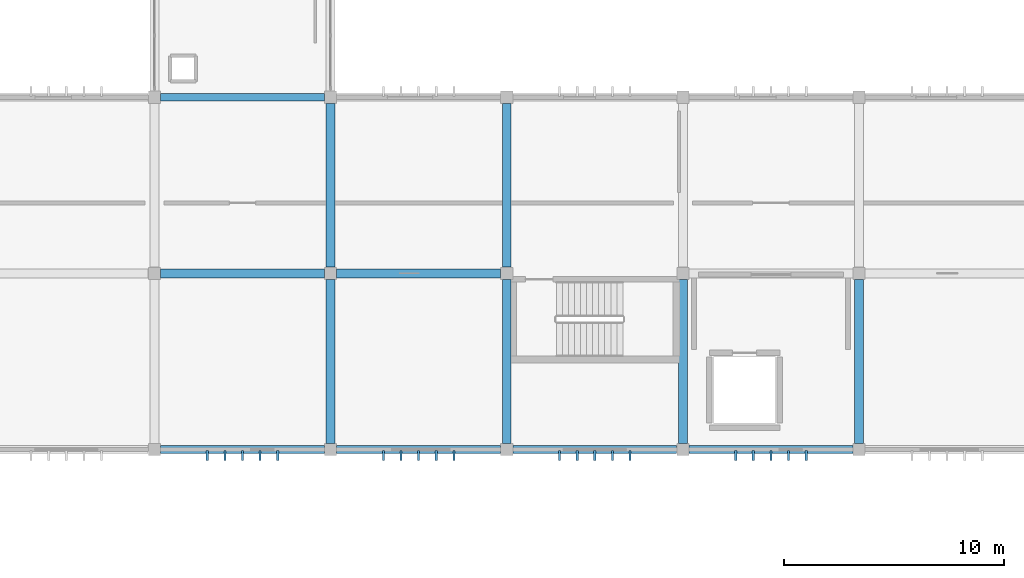
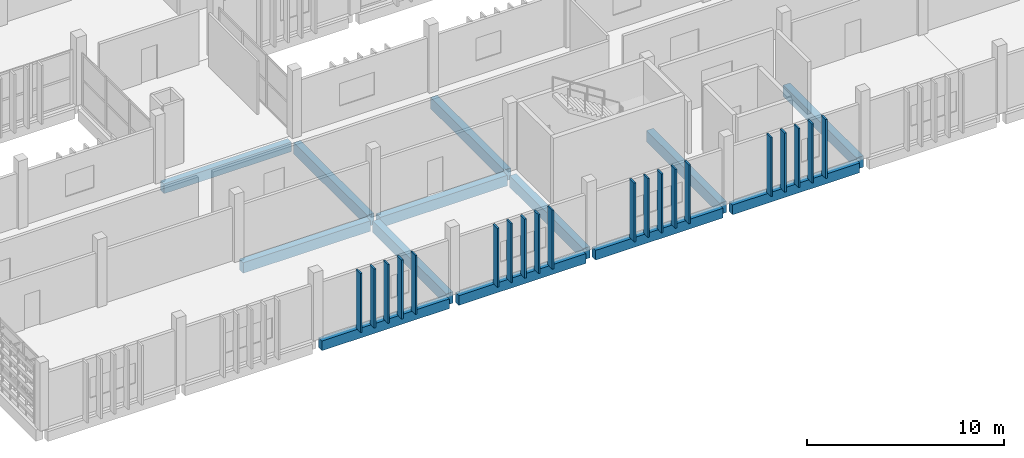
# One storey, part 24 of 83: 20 members, 13 beams.
"""IFC4 building model written with IfcOpenShell, lengths in metres."""

from ifc_helpers import new_model, si_unit, direction, frame, origin, origin_2d, place, context, subcontext, project, spatial, rectangle, extrude, material, material_profile, profile_set, type_object, element, save


model = new_model("IFC4")

# Units and contexts
model_context = context("Model", 3, precision=1e-05, world=origin(), true_north=direction((0.0, 1.0)))
body_context = subcontext(model_context, "Body", "Model", "MODEL_VIEW")
ifc_project = project(units=[si_unit("LENGTHUNIT", "METRE"), si_unit("AREAUNIT", "SQUARE_METRE"), si_unit("VOLUMEUNIT", "CUBIC_METRE"), si_unit("PLANEANGLEUNIT", "RADIAN"), si_unit("MASSUNIT", "GRAM", prefix="KILO")], contexts=[model_context])

# Site, building, storey
site_placement = place(None, origin())
site = spatial("IfcSite", under=ifc_project, at=site_placement, CompositionType="ELEMENT")
building_placement = place(site_placement, origin())
building = spatial("IfcBuilding", under=site, at=building_placement, Name="Jelvoka-Kovrelna Polytechnic", CompositionType="ELEMENT")
storey_placement = place(building_placement, frame((0.0, 0.0, 13.800048828125)))
storey = spatial("IfcBuildingStorey", under=building, at=storey_placement, Name="L04", CompositionType="ELEMENT", Elevation=13.800048828125)

# Beams
ifc_material_1 = material(Name="Concrete C40/50", Category="concrete")
ifc_material_profile_1 = material_profile(ifc_material_1, rectangle(XDim=0.39990234375, YDim=0.64990234375, at=origin_2d()), Name="RC 400x650")
ifc_profile_set_1 = profile_set([ifc_material_profile_1], Name="Concrete C40/50")
beam_type_1 = type_object("IfcBeamType", Name="Beam_RC_400x650", PredefinedType="BEAM", material=ifc_profile_set_1)
for number, where, z_axis, x_axis, name in (
    (1, (72.280029296875, 16.0, -0.574951171875), (1.0, 0.0, 0.0), (0.0, 1.0, 0.0), "L04 beam 1121"),
    (2, (80.280029296875, 16.0, -0.574951171875), (1.0, 0.0, 0.0), (0.0, 1.0, 0.0), "L04 beam 1122"),
):
    element("IfcBeam", number, at=place(storey_placement, frame(where, z_axis=z_axis, x_axis=x_axis)), inside=storey, type_object=beam_type_1, Name=name, PredefinedType="BEAM", context=body_context, shape_type="SweptSolid", body=[
        extrude(rectangle(XDim=0.39990234375, YDim=0.64990234375, at=origin_2d()), origin(), (0.0, 0.0, 1.0), 7.43994140625),
    ])
ifc_material_2 = material(Name="Concrete C40/50", Category="concrete")
ifc_material_profile_2 = material_profile(ifc_material_2, rectangle(XDim=0.39990234375, YDim=0.699951171875, at=origin_2d()), Name="RC 400x700")
ifc_profile_set_2 = profile_set([ifc_material_profile_2], Name="Concrete C40/50")
beam_type_2 = type_object("IfcBeamType", Name="Beam_RC_400x700", PredefinedType="BEAM", material=ifc_profile_set_2)
for number, where, z_axis, x_axis, name in (
    (3, (80.0, 8.280029296875, -0.60009765625), (0.0, 1.0, 0.0), (-1.0, 0.0, 0.0), "L04 beam 1138"),
    (4, (80.0, 16.280029296875, -0.60009765625), (0.0, 1.0, 0.0), (-1.0, 0.0, 0.0), "L04 beam 1139"),
    (5, (88.0, 8.280029296875, -0.60009765625), (0.0, 1.0, 0.0), (-1.0, 0.0, 0.0), "L04 beam 1140"),
    (6, (88.0, 16.280029296875, -0.60009765625), (0.0, 1.0, 0.0), (-1.0, 0.0, 0.0), "L04 beam 1141"),
    (7, (96.0, 8.280029296875, -0.60009765625), (0.0, 1.0, 0.0), (-1.0, 0.0, 0.0), "L04 beam 1142"),
    (8, (104.0, 8.280029296875, -0.60009765625), (0.0, 1.0, 0.0), (-1.0, 0.0, 0.0), "L04 beam 1144"),
):
    element("IfcBeam", number, at=place(storey_placement, frame(where, z_axis=z_axis, x_axis=x_axis)), inside=storey, type_object=beam_type_2, Name=name, PredefinedType="BEAM", context=body_context, shape_type="SweptSolid", body=[
        extrude(rectangle(XDim=0.39990234375, YDim=0.699951171875, at=origin_2d()), origin(), (0.0, 0.0, 1.0), 7.43994140625),
    ])

# Members
ifc_material_3 = material(Name="Precast concrete C40/50", Category="concrete")
ifc_material_profile_3 = material_profile(ifc_material_3, rectangle(XDim=0.10009765625, YDim=0.449951171875, at=origin_2d()), Name="PC 100x450")
ifc_profile_set_3 = profile_set([ifc_material_profile_3], Name="Precast concrete C40/50")
member_type = type_object("IfcMemberType", Name="Louvre_Fin_100x450", PredefinedType="USERDEFINED", material=ifc_profile_set_3)
for number, where, z_axis, x_axis, name in (
    (9, (74.39990234375, 7.735107421875, -0.27001953125), (0.0, 0.0, 1.0), (1.0, 0.0, 0.0), "L04 B1 south vertical solar louvre fin 0356"),
    (10, (75.199951171875, 7.735107421875, -0.27001953125), (0.0, 0.0, 1.0), (1.0, 0.0, 0.0), "L04 B1 south vertical solar louvre fin 0357"),
    (11, (76.0, 7.735107421875, -0.27001953125), (0.0, 0.0, 1.0), (1.0, 0.0, 0.0), "L04 B1 south vertical solar louvre fin 0358"),
    (12, (76.800048828125, 7.735107421875, -0.27001953125), (0.0, 0.0, 1.0), (1.0, 0.0, 0.0), "L04 B1 south vertical solar louvre fin 0359"),
    (13, (77.60009765625, 7.735107421875, -0.27001953125), (0.0, 0.0, 1.0), (1.0, 0.0, 0.0), "L04 B1 south vertical solar louvre fin 0360"),
    (14, (82.39990234375, 7.735107421875, -0.27001953125), (0.0, 0.0, 1.0), (1.0, 0.0, 0.0), "L04 B1 south vertical solar louvre fin 0361"),
    (15, (83.199951171875, 7.735107421875, -0.27001953125), (0.0, 0.0, 1.0), (1.0, 0.0, 0.0), "L04 B1 south vertical solar louvre fin 0362"),
    (16, (84.0, 7.735107421875, -0.27001953125), (0.0, 0.0, 1.0), (1.0, 0.0, 0.0), "L04 B1 south vertical solar louvre fin 0363"),
    (17, (84.800048828125, 7.735107421875, -0.27001953125), (0.0, 0.0, 1.0), (1.0, 0.0, 0.0), "L04 B1 south vertical solar louvre fin 0364"),
    (18, (85.60009765625, 7.735107421875, -0.27001953125), (0.0, 0.0, 1.0), (1.0, 0.0, 0.0), "L04 B1 south vertical solar louvre fin 0365"),
    (19, (90.39990234375, 7.735107421875, -0.27001953125), (0.0, 0.0, 1.0), (1.0, 0.0, 0.0), "L04 B1 south vertical solar louvre fin 0371"),
    (20, (91.199951171875, 7.735107421875, -0.27001953125), (0.0, 0.0, 1.0), (1.0, 0.0, 0.0), "L04 B1 south vertical solar louvre fin 0372"),
    (21, (92.0, 7.735107421875, -0.27001953125), (0.0, 0.0, 1.0), (1.0, 0.0, 0.0), "L04 B1 south vertical solar louvre fin 0373"),
    (22, (92.800048828125, 7.735107421875, -0.27001953125), (0.0, 0.0, 1.0), (1.0, 0.0, 0.0), "L04 B1 south vertical solar louvre fin 0374"),
    (23, (93.60009765625, 7.735107421875, -0.27001953125), (0.0, 0.0, 1.0), (1.0, 0.0, 0.0), "L04 B1 south vertical solar louvre fin 0375"),
    (24, (98.39990234375, 7.735107421875, -0.27001953125), (0.0, 0.0, 1.0), (1.0, 0.0, 0.0), "L04 B1 south vertical solar louvre fin 0381"),
    (25, (99.199951171875, 7.735107421875, -0.27001953125), (0.0, 0.0, 1.0), (1.0, 0.0, 0.0), "L04 B1 south vertical solar louvre fin 0382"),
    (26, (100.0, 7.735107421875, -0.27001953125), (0.0, 0.0, 1.0), (1.0, 0.0, 0.0), "L04 B1 south vertical solar louvre fin 0383"),
    (27, (100.800048828125, 7.735107421875, -0.27001953125), (0.0, 0.0, 1.0), (1.0, 0.0, 0.0), "L04 B1 south vertical solar louvre fin 0384"),
    (28, (101.60009765625, 7.735107421875, -0.27001953125), (0.0, 0.0, 1.0), (1.0, 0.0, 0.0), "L04 B1 south vertical solar louvre fin 0385"),
):
    element("IfcMember", number, at=place(storey_placement, frame(where, z_axis=z_axis, x_axis=x_axis)), inside=storey, type_object=member_type, Name=name, ObjectType="SUNSHADE", PredefinedType="USERDEFINED", context=body_context, shape_type="SweptSolid", body=[
        extrude(rectangle(XDim=0.10009765625, YDim=0.449951171875, at=origin_2d()), origin(), (0.0, 0.0, 1.0), 3.64501953125),
    ])

# Beams
ifc_material_4 = material(Name="Concrete C40/50", Category="concrete")
ifc_material_profile_4 = material_profile(ifc_material_4, rectangle(XDim=0.35009765625, YDim=0.60009765625, at=origin_2d()), Name="RC 350x600")
ifc_profile_set_4 = profile_set([ifc_material_profile_4], Name="Concrete C40/50")
beam_type_3 = type_object("IfcBeamType", Name="Spandrel_RC_350x600", PredefinedType="SPANDREL", material=ifc_profile_set_4)
for number, where, z_axis, x_axis, name in (
    (29, (72.280029296875, 8.0, -0.550048828125), (1.0, 0.0, 0.0), (0.0, 1.0, 0.0), "L04 beam 1114"),
    (30, (80.280029296875, 8.0, -0.550048828125), (1.0, 0.0, 0.0), (0.0, 1.0, 0.0), "L04 beam 1115"),
    (31, (88.280029296875, 8.0, -0.550048828125), (1.0, 0.0, 0.0), (0.0, 1.0, 0.0), "L04 beam 1116"),
    (32, (96.280029296875, 8.0, -0.550048828125), (1.0, 0.0, 0.0), (0.0, 1.0, 0.0), "L04 beam 1117"),
    (33, (72.280029296875, 24.0, -0.550048828125), (1.0, 0.0, 0.0), (0.0, 1.0, 0.0), "L04 beam 1127"),
):
    element("IfcBeam", number, at=place(storey_placement, frame(where, z_axis=z_axis, x_axis=x_axis)), inside=storey, type_object=beam_type_3, Name=name, PredefinedType="SPANDREL", context=body_context, shape_type="SweptSolid", body=[
        extrude(rectangle(XDim=0.35009765625, YDim=0.60009765625, at=origin_2d()), origin(), (0.0, 0.0, 1.0), 7.43994140625),
    ])

save(model, "model.ifc")
